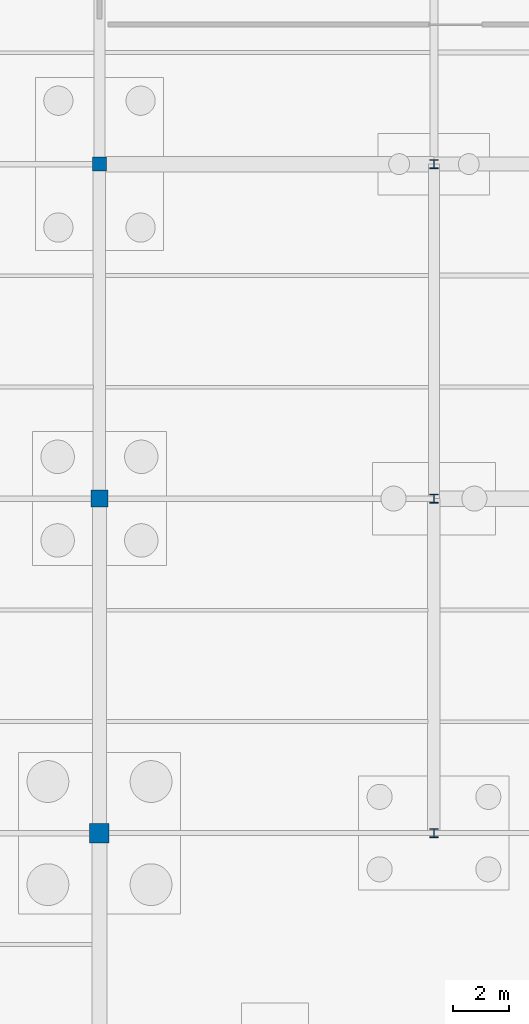
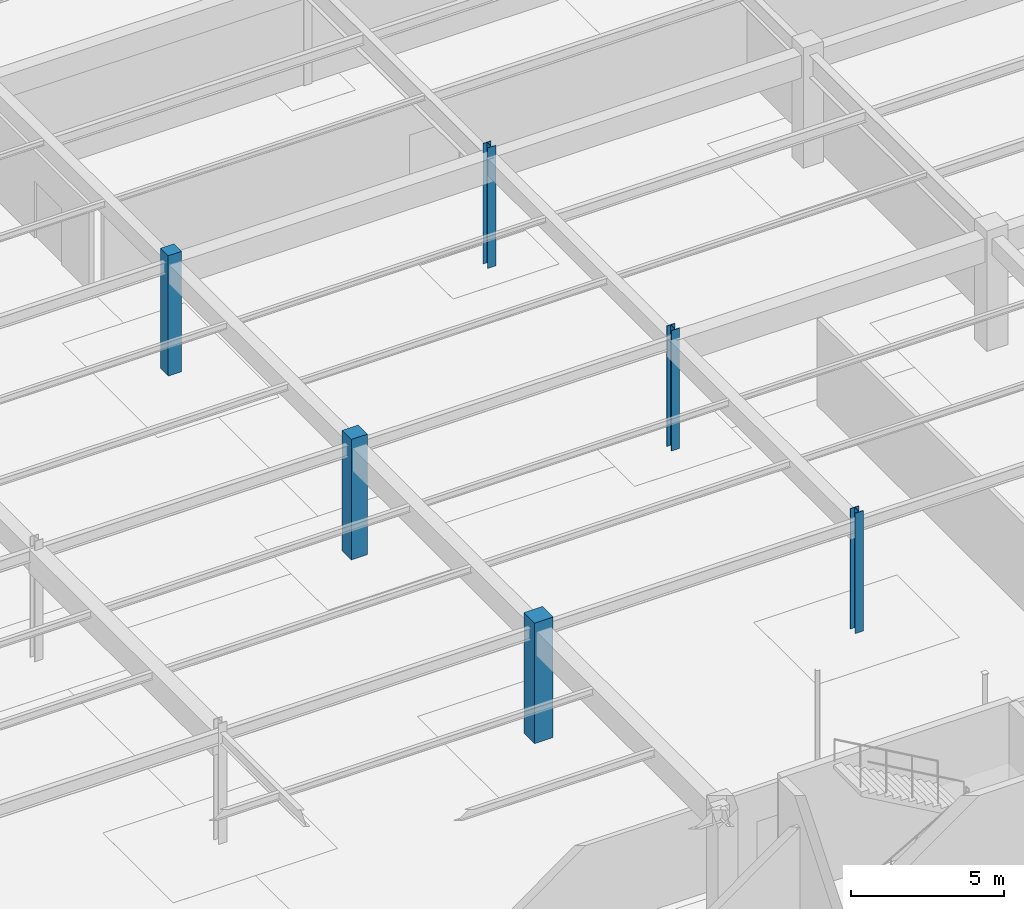
# One storey, part 25 of 136: 6 columns.
"""IFC4 building model written with IfcOpenShell, lengths in metres."""

from ifc_helpers import new_model, si_unit, direction, frame, origin, origin_2d, place, context, subcontext, project, spatial, rectangle, i_section, extrude, material, material_profile, profile_set, type_object, element, save


model = new_model("IFC4")

# Units and contexts
model_context = context("Model", 3, precision=1e-05, world=origin(), true_north=direction((0.0, 1.0)))
body_context = subcontext(model_context, "Body", "Model", "MODEL_VIEW")
ifc_project = project(units=[si_unit("LENGTHUNIT", "METRE"), si_unit("AREAUNIT", "SQUARE_METRE"), si_unit("VOLUMEUNIT", "CUBIC_METRE"), si_unit("PLANEANGLEUNIT", "RADIAN"), si_unit("MASSUNIT", "GRAM", prefix="KILO")], contexts=[model_context])

# Site, building, storey
site_placement = place(None, origin())
site = spatial("IfcSite", under=ifc_project, at=site_placement, CompositionType="ELEMENT")
building_placement = place(site_placement, origin())
building = spatial("IfcBuilding", under=site, at=building_placement, Name="Tarnwether General Hospital", CompositionType="ELEMENT")
storey_placement = place(building_placement, frame((0.0, 0.0, -4.800048828125)))
storey = spatial("IfcBuildingStorey", under=building, at=storey_placement, Name="LG", CompositionType="ELEMENT", Elevation=-4.800048828125)

# Columns
ifc_material_1 = material(Name="Steel Grade 350 (350 MPa)", Category="steel")
ifc_material_profile_1 = material_profile(ifc_material_1, i_section(OverallWidth=0.31103515625, OverallDepth=0.326904296875, WebThickness=0.015625, FlangeThickness=0.02490234375, at=origin_2d()), Name="310UC158")
ifc_profile_set_1 = profile_set([ifc_material_profile_1], Name="Steel Grade 350 (350 MPa)")
column_type_1 = type_object("IfcColumnType", Name="COL-05", PredefinedType="COLUMN", material=ifc_profile_set_1)
column_1_placement = place(storey_placement, frame((72.0, 33.60009765625, 0.0), z_axis=(0.0, 0.0, 1.0), x_axis=(1.0, 0.0, 0.0)))
element("IfcColumn", 1, at=column_1_placement, inside=storey, type_object=column_type_1, Name="Column COLG-LG-7200_3360", PredefinedType="COLUMN", context=body_context, shape_type="SweptSolid", body=[
    extrude(i_section(OverallWidth=0.31103515625, OverallDepth=0.326904296875, WebThickness=0.015625, FlangeThickness=0.02490234375, at=origin_2d()), origin(), (0.0, 0.0, 1.0), 4.800048828125),
])
ifc_material_2 = material(Name="Steel Grade 350 (350 MPa)", Category="steel")
ifc_material_profile_2 = material_profile(ifc_material_2, i_section(OverallWidth=0.30908203125, OverallDepth=0.321044921875, WebThickness=0.013916015625, FlangeThickness=0.021728515625, at=origin_2d()), Name="310UC137")
ifc_profile_set_2 = profile_set([ifc_material_profile_2], Name="Steel Grade 350 (350 MPa)")
column_type_2 = type_object("IfcColumnType", Name="COL-06", PredefinedType="COLUMN", material=ifc_profile_set_2)
column_2_placement = place(storey_placement, frame((72.0, 45.60009765625, 0.0), z_axis=(0.0, 0.0, 1.0), x_axis=(1.0, 0.0, 0.0)))
element("IfcColumn", 2, at=column_2_placement, inside=storey, type_object=column_type_2, Name="Column COLG-LG-7200_4560", PredefinedType="COLUMN", context=body_context, shape_type="SweptSolid", body=[
    extrude(i_section(OverallWidth=0.30908203125, OverallDepth=0.321044921875, WebThickness=0.013916015625, FlangeThickness=0.021728515625, at=origin_2d()), origin(), (0.0, 0.0, 1.0), 4.800048828125),
])
ifc_material_3 = material(Name="Steel Grade 350 (350 MPa)", Category="steel")
ifc_material_profile_3 = material_profile(ifc_material_3, i_section(OverallWidth=0.306884765625, OverallDepth=0.31494140625, WebThickness=0.011962890625, FlangeThickness=0.018798828125, at=origin_2d()), Name="310UC118")
ifc_profile_set_3 = profile_set([ifc_material_profile_3], Name="Steel Grade 350 (350 MPa)")
column_type_3 = type_object("IfcColumnType", Name="COL-07", PredefinedType="COLUMN", material=ifc_profile_set_3)
column_3_placement = place(storey_placement, frame((72.0, 57.60009765625, 0.0), z_axis=(0.0, 0.0, 1.0), x_axis=(1.0, 0.0, 0.0)))
element("IfcColumn", 3, at=column_3_placement, inside=storey, type_object=column_type_3, Name="Column COLG-LG-7200_5760", PredefinedType="COLUMN", context=body_context, shape_type="SweptSolid", body=[
    extrude(i_section(OverallWidth=0.306884765625, OverallDepth=0.31494140625, WebThickness=0.011962890625, FlangeThickness=0.018798828125, at=origin_2d()), origin(), (0.0, 0.0, 1.0), 4.800048828125),
])
ifc_material_4 = material(Name="Concrete 50 MPa", Category="concrete")
ifc_material_profile_4 = material_profile(ifc_material_4, rectangle(XDim=0.699951171875, YDim=0.699951171875, at=origin_2d()), Name="RC-COL-700x700")
ifc_profile_set_4 = profile_set([ifc_material_profile_4], Name="Concrete 50 MPa")
column_type_4 = type_object("IfcColumnType", Name="COL-18", PredefinedType="COLUMN", material=ifc_profile_set_4)
column_4_placement = place(storey_placement, frame((60.0, 33.60009765625, 0.0), z_axis=(0.0, 0.0, 1.0), x_axis=(0.0, 1.0, 0.0)))
element("IfcColumn", 4, at=column_4_placement, inside=storey, type_object=column_type_4, Name="Column COLG-LG-6000_3360", PredefinedType="COLUMN", context=body_context, shape_type="SweptSolid", body=[
    extrude(rectangle(XDim=0.699951171875, YDim=0.699951171875, at=origin_2d()), origin(), (0.0, 0.0, 1.0), 4.800048828125),
])
ifc_material_5 = material(Name="Concrete 50 MPa", Category="concrete")
ifc_material_profile_5 = material_profile(ifc_material_5, rectangle(XDim=0.60009765625, YDim=0.60009765625, at=origin_2d()), Name="RC-COL-600x600")
ifc_profile_set_5 = profile_set([ifc_material_profile_5], Name="Concrete 50 MPa")
column_type_5 = type_object("IfcColumnType", Name="COL-19", PredefinedType="COLUMN", material=ifc_profile_set_5)
column_5_placement = place(storey_placement, frame((60.0, 45.60009765625, 0.0), z_axis=(0.0, 0.0, 1.0), x_axis=(0.0, 1.0, 0.0)))
element("IfcColumn", 5, at=column_5_placement, inside=storey, type_object=column_type_5, Name="Column COLG-LG-6000_4560", PredefinedType="COLUMN", context=body_context, shape_type="SweptSolid", body=[
    extrude(rectangle(XDim=0.60009765625, YDim=0.60009765625, at=origin_2d()), origin(), (0.0, 0.0, 1.0), 4.800048828125),
])
ifc_material_6 = material(Name="Concrete 50 MPa", Category="concrete")
ifc_material_profile_6 = material_profile(ifc_material_6, rectangle(XDim=0.5, YDim=0.5, at=origin_2d()), Name="RC-COL-500x500")
ifc_profile_set_6 = profile_set([ifc_material_profile_6], Name="Concrete 50 MPa")
column_type_6 = type_object("IfcColumnType", Name="COL-20", PredefinedType="COLUMN", material=ifc_profile_set_6)
column_6_placement = place(storey_placement, frame((60.0, 57.60009765625, 0.0), z_axis=(0.0, 0.0, 1.0), x_axis=(0.0, 1.0, 0.0)))
element("IfcColumn", 6, at=column_6_placement, inside=storey, type_object=column_type_6, Name="Column COLG-LG-6000_5760", PredefinedType="COLUMN", context=body_context, shape_type="SweptSolid", body=[
    extrude(rectangle(XDim=0.5, YDim=0.5, at=origin_2d()), origin(), (0.0, 0.0, 1.0), 4.800048828125),
])

save(model, "model.ifc")
